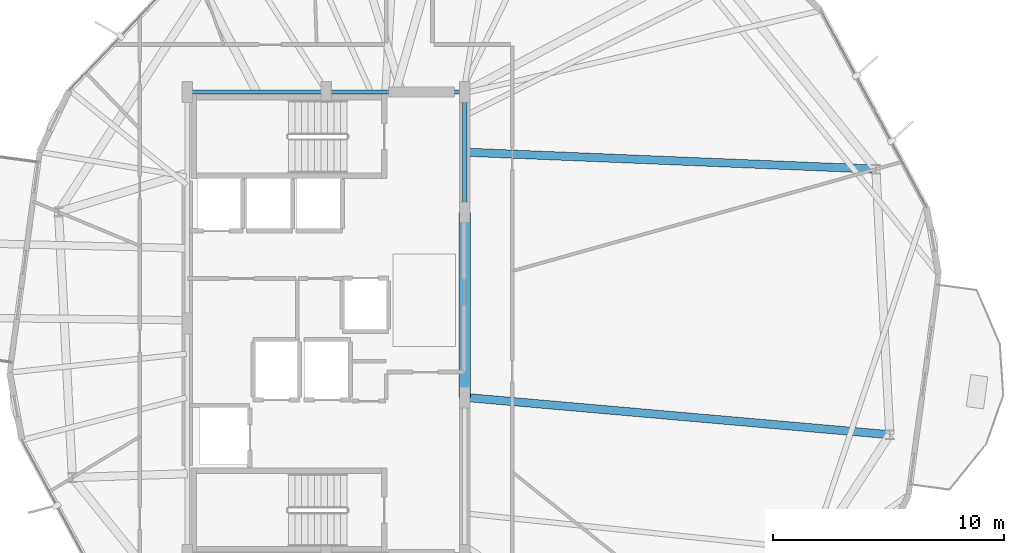
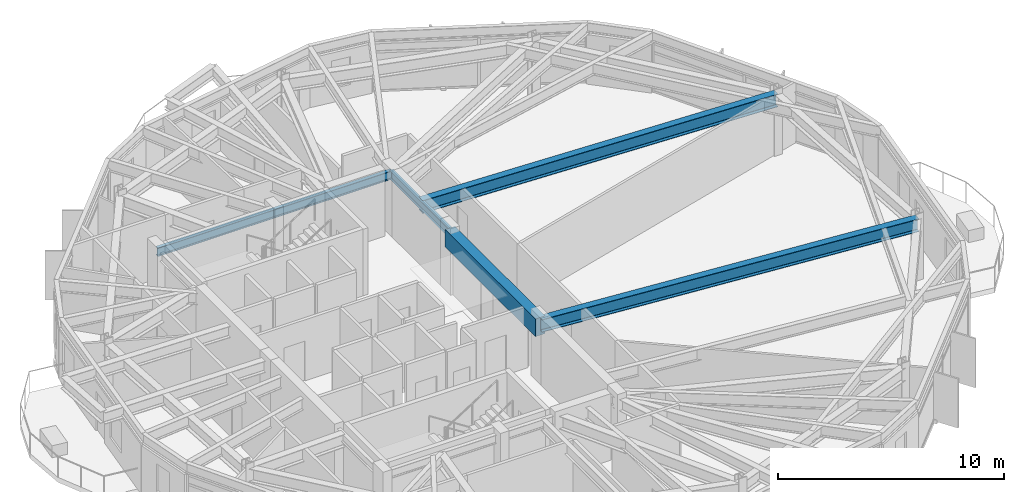
# One storey, part 10 of 27: 6 beams.
"""IFC4 building model written with IfcOpenShell, lengths in metres."""

from ifc_helpers import new_model, si_unit, direction, frame, origin, origin_2d, place, context, subcontext, project, spatial, rectangle, i_section, extrude, material, material_profile, profile_set, type_object, element, save


model = new_model("IFC4")

# Units and contexts
model_context = context("Model", 3, precision=1e-05, world=origin(), true_north=direction((0.0, 1.0)))
body_context = subcontext(model_context, "Body", "Model", "MODEL_VIEW")
ifc_project = project(units=[si_unit("LENGTHUNIT", "METRE"), si_unit("AREAUNIT", "SQUARE_METRE"), si_unit("VOLUMEUNIT", "CUBIC_METRE"), si_unit("PLANEANGLEUNIT", "RADIAN"), si_unit("MASSUNIT", "GRAM", prefix="KILO")], contexts=[model_context])

# Site, building, storey
site_placement = place(None, origin())
site = spatial("IfcSite", under=ifc_project, at=site_placement, CompositionType="ELEMENT")
building_placement = place(site_placement, origin())
building = spatial("IfcBuilding", under=site, at=building_placement, Name="Soratama Intermodal Tower", CompositionType="ELEMENT")
storey_placement = place(building_placement, frame((0.0, 0.0, 208.60009765625)))
storey = spatial("IfcBuildingStorey", under=building, at=storey_placement, Name="L52", CompositionType="ELEMENT", Elevation=208.60009765625)

# Beams
ifc_material_1 = material(Name="Concrete f'c 56 MPa", Category="concrete")
ifc_material_profile_1 = material_profile(ifc_material_1, rectangle(XDim=0.5, YDim=0.949951171875, at=origin_2d()), Name="RC500X950")
ifc_profile_set_1 = profile_set([ifc_material_profile_1], Name="Concrete f'c 56 MPa")
beam_type_1 = type_object("IfcBeamType", Name="BM-CPL-RC500X950", PredefinedType="BEAM", material=ifc_profile_set_1)
beam_1_placement = place(storey_placement, frame((44.60009765625, 21.800048828125, 2.824951171875), z_axis=(0.0, 1.0, 0.0), x_axis=(-1.0, 0.0, 0.0)))
element("IfcBeam", 1, at=beam_1_placement, inside=storey, type_object=beam_type_1, Name="L52 Core Coupling Beam East", PredefinedType="BEAM", context=body_context, shape_type="SweptSolid", body=[
    extrude(rectangle(XDim=0.5, YDim=0.949951171875, at=origin_2d()), origin(), (0.0, 0.0, 1.0), 8.0),
])
ifc_material_2 = material(Name="Structural steel ASTM A992 Grade 50", Category="steel")
ifc_material_profile_2 = material_profile(ifc_material_2, i_section(OverallWidth=0.19091796875, OverallDepth=0.4599609375, WebThickness=0.010009765625, FlangeThickness=0.01611328125, FilletRadius=0.010986328125, at=origin_2d()), Name="W18X55")
ifc_profile_set_2 = profile_set([ifc_material_profile_2], Name="Structural steel ASTM A992 Grade 50")
beam_type_2 = type_object("IfcBeamType", Name="BM-FLR-W18X55", PredefinedType="BEAM", material=ifc_profile_set_2)
beam_2_placement = place(storey_placement, frame((44.60009765625, 29.800048828125, 3.06982421875), z_axis=(0.0, 1.0, 0.0), x_axis=(-1.0, 0.0, 0.0)))
element("IfcBeam", 2, at=beam_2_placement, inside=storey, type_object=beam_type_2, Name="BM-L52-CRING-05", PredefinedType="BEAM", context=body_context, shape_type="SweptSolid", body=[
    extrude(i_section(OverallWidth=0.19091796875, OverallDepth=0.4599609375, WebThickness=0.010009765625, FlangeThickness=0.01611328125, FilletRadius=0.010986328125, at=origin_2d()), origin(), (0.0, 0.0, 1.0), 5.199951171875),
])
for number, where, z_axis, x_axis, name in (
    (3, (44.60009765625, 35.0, 3.06982421875), (-1.0, 0.0, 0.0), (0.0, -1.0, 0.0), "BM-L52-CRING-06"),
    (4, (38.60009765625, 35.0, 3.06982421875), (-1.0, 0.0, 0.0), (0.0, -1.0, 0.0), "BM-L52-CRING-07"),
):
    element("IfcBeam", number, at=place(storey_placement, frame(where, z_axis=z_axis, x_axis=x_axis)), inside=storey, type_object=beam_type_2, Name=name, PredefinedType="BEAM", context=body_context, shape_type="SweptSolid", body=[
        extrude(i_section(OverallWidth=0.19091796875, OverallDepth=0.4599609375, WebThickness=0.010009765625, FlangeThickness=0.01611328125, FilletRadius=0.010986328125, at=origin_2d()), origin(), (0.0, 0.0, 1.0), 6.0),
    ])
ifc_material_3 = material(Name="Structural steel ASTM A992 Grade 50", Category="steel")
ifc_material_profile_3 = material_profile(ifc_material_3, i_section(OverallWidth=0.35498046875, OverallDepth=0.695068359375, WebThickness=0.015380859375, FlangeThickness=0.02490234375, FilletRadius=0.01611328125, at=origin_2d()), Name="W27X146")
ifc_profile_set_3 = profile_set([ifc_material_profile_3], Name="Structural steel ASTM A992 Grade 50")
beam_type_3 = type_object("IfcBeamType", Name="BM-RING-W27X146", PredefinedType="BEAM", material=ifc_profile_set_3)
beam_3_placement = place(storey_placement, frame((44.60009765625, 32.39990234375, 2.952392578125), z_axis=(0.999147788389, -0.041275864109, 0.0), x_axis=(0.041275864109, 0.999147788389, 0.0)))
element("IfcBeam", 5, at=beam_3_placement, inside=storey, type_object=beam_type_3, Name="BM-L52-RAD-01", PredefinedType="BEAM", context=body_context, shape_type="SweptSolid", body=[
    extrude(i_section(OverallWidth=0.35498046875, OverallDepth=0.695068359375, WebThickness=0.015380859375, FlangeThickness=0.02490234375, FilletRadius=0.01611328125, at=origin_2d()), origin(), (0.0, 0.0, 1.0), 17.780029296875),
])
beam_4_placement = place(storey_placement, frame((44.60009765625, 21.800048828125, 2.952392578125), z_axis=(0.996160716813, -0.087543282317, 0.0), x_axis=(0.087543282317, 0.996160716813, 0.0)))
element("IfcBeam", 6, at=beam_4_placement, inside=storey, type_object=beam_type_3, Name="BM-L52-RAD-10", PredefinedType="BEAM", context=body_context, shape_type="SweptSolid", body=[
    extrude(i_section(OverallWidth=0.35498046875, OverallDepth=0.695068359375, WebThickness=0.015380859375, FlangeThickness=0.02490234375, FilletRadius=0.01611328125, at=origin_2d()), origin(), (0.0, 0.0, 1.0), 18.436767578125),
])

save(model, "model.ifc")
